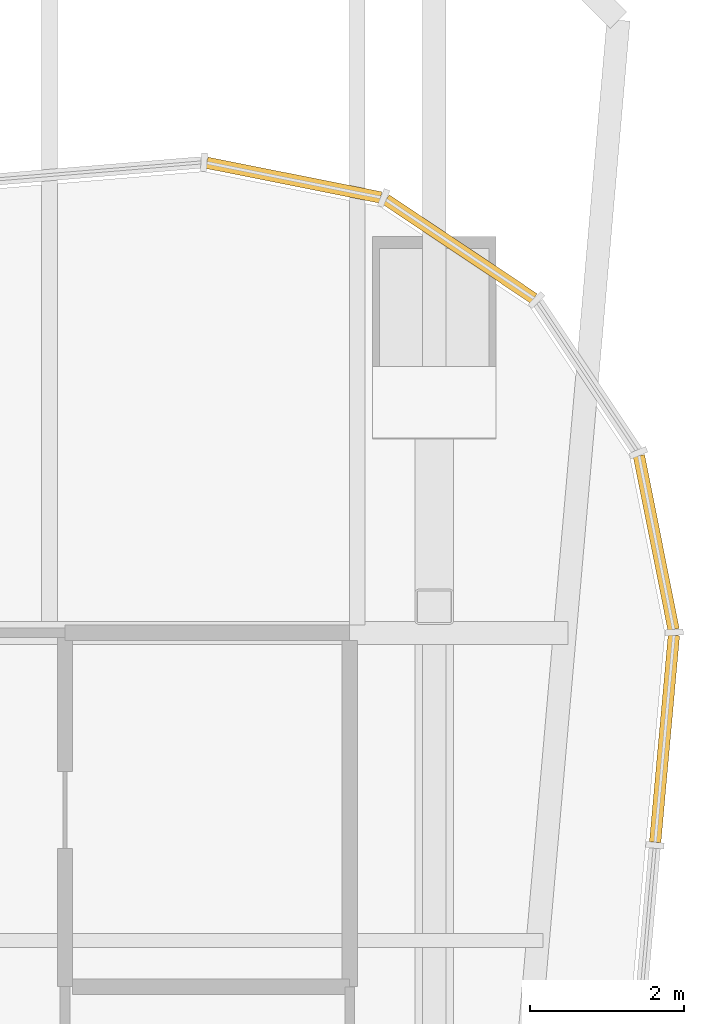
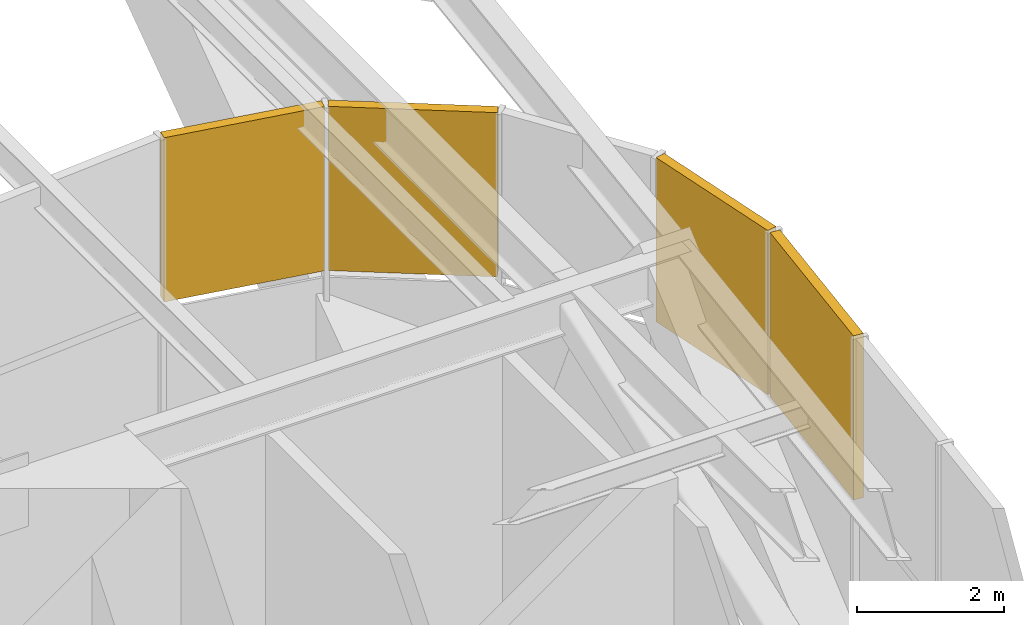
# One storey, part 17 of 17: 4 shading devices, 2 elements without a shape of their own.
"""IFC4 building model written with IfcOpenShell, lengths in metres."""

from ifc_helpers import new_model, si_unit, direction, frame, origin, origin_2d, place, context, subcontext, project, spatial, rectangle, extrude, material, layer, layer_set, type_object, element, aggregate, save


model = new_model("IFC4")

# Units and contexts
model_context = context("Model", 3, precision=1e-05, world=origin(), true_north=direction((0.0, 1.0)))
body_context = subcontext(model_context, "Body", "Model", "MODEL_VIEW")
ifc_project = project(units=[si_unit("LENGTHUNIT", "METRE"), si_unit("AREAUNIT", "SQUARE_METRE"), si_unit("VOLUMEUNIT", "CUBIC_METRE"), si_unit("PLANEANGLEUNIT", "RADIAN"), si_unit("MASSUNIT", "GRAM", prefix="KILO")], contexts=[model_context])

# Site, building, storey
site_placement = place(None, origin())
site = spatial("IfcSite", under=ifc_project, at=site_placement, CompositionType="ELEMENT")
building_placement = place(site_placement, origin())
building = spatial("IfcBuilding", under=site, at=building_placement, Name="Verdant Reach Tower", CompositionType="ELEMENT")
storey_placement = place(building_placement, frame((0.0, 0.0, 58.0)))
storey = spatial("IfcBuildingStorey", under=building, at=storey_placement, Name="L13 Plant", CompositionType="ELEMENT", Elevation=58.0)

# Curtain wall, shading device
ifc_material_1 = material(Name="Anodised aluminium", Category="aluminium")
curtain_wall_type = type_object("IfcCurtainWallType", Name="EN-CW SYSTEM PLANT", PredefinedType="NOTDEFINED", material=ifc_material_1)
curtain_wall_1_placement = place(storey_placement, origin())
curtain_wall_1 = element("IfcCurtainWall", 1, at=curtain_wall_1_placement, inside=storey, type_object=curtain_wall_type, Name="Curtain wall east, L13", PredefinedType="NOTDEFINED")
ifc_material_2 = material(Name="Bronze anodised aluminium louvre", Category="aluminium")
ifc_layer = layer(ifc_material_2, 0.14990234375)
ifc_layer_set = layer_set([ifc_layer], Name="EN-LOUVRE")
shading_device_type = type_object("IfcShadingDeviceType", Name="EN-LOUVRE", PredefinedType="USERDEFINED", material=ifc_layer_set)
shading_device_1_placement = place(storey_placement, frame((23.99365234375, 37.622802734375, 3.925048828125), z_axis=(0.0, 0.0, 1.0), x_axis=(0.090097307904, 0.995932967176, 0.0)))
shading_device_1 = element("IfcShadingDevice", 2, at=shading_device_1_placement, type_object=shading_device_type, Name="Louvre bank east face part 2 6, L13", ObjectType="LOUVRE", PredefinedType="USERDEFINED", context=body_context, shape_type="SweptSolid", body=[
    extrude(rectangle(XDim=2.702392578125, YDim=0.14990234375, at=origin_2d()), origin(), (0.0, 0.0, 1.0), 2.72509765625),
])
aggregate(curtain_wall_1, [shading_device_1])

# Curtain wall, shading devices
curtain_wall_2_placement = place(storey_placement, origin())
curtain_wall_2 = element("IfcCurtainWall", 3, at=curtain_wall_2_placement, inside=storey, type_object=curtain_wall_type, Name="Curtain wall north-east corner, L13", PredefinedType="NOTDEFINED")
shading_device_2_placement = place(storey_placement, frame((23.885986328125, 40.174072265625, 3.925048828125), z_axis=(0.0, 0.0, 1.0), x_axis=(-0.195519165622, 0.980699880633, 0.0)))
shading_device_2 = element("IfcShadingDevice", 4, at=shading_device_2_placement, type_object=shading_device_type, Name="Louvre bank north-east corner 1, L13", ObjectType="LOUVRE", PredefinedType="USERDEFINED", context=body_context, shape_type="SweptSolid", body=[
    extrude(rectangle(XDim=2.305419921875, YDim=0.14990234375, at=origin_2d()), origin(), (0.0, 0.0, 1.0), 2.72509765625),
])
shading_device_3_placement = place(storey_placement, frame((21.334228515625, 43.989990234375, 3.925048828125), z_axis=(0.0, 0.0, 1.0), x_axis=(-0.83145208321, 0.555596466265, 0.0)))
shading_device_3 = element("IfcShadingDevice", 5, at=shading_device_3_placement, type_object=shading_device_type, Name="Louvre bank north-east corner 3, L13", ObjectType="LOUVRE", PredefinedType="USERDEFINED", context=body_context, shape_type="SweptSolid", body=[
    extrude(rectangle(XDim=2.3115234375, YDim=0.14990234375, at=origin_2d()), origin(), (0.0, 0.0, 1.0), 2.72509765625),
])
shading_device_4_placement = place(storey_placement, frame((19.174072265625, 44.885986328125, 3.925048828125), z_axis=(0.0, 0.0, 1.0), x_axis=(-0.980694678629, 0.195545256419, 0.0)))
shading_device_4 = element("IfcShadingDevice", 6, at=shading_device_4_placement, type_object=shading_device_type, Name="Louvre bank north-east corner 4, L13", ObjectType="LOUVRE", PredefinedType="USERDEFINED", context=body_context, shape_type="SweptSolid", body=[
    extrude(rectangle(XDim=2.304931640625, YDim=0.14990234375, at=origin_2d()), origin(), (0.0, 0.0, 1.0), 2.72509765625),
])
aggregate(curtain_wall_2, [shading_device_2, shading_device_3, shading_device_4])

save(model, "model.ifc")
